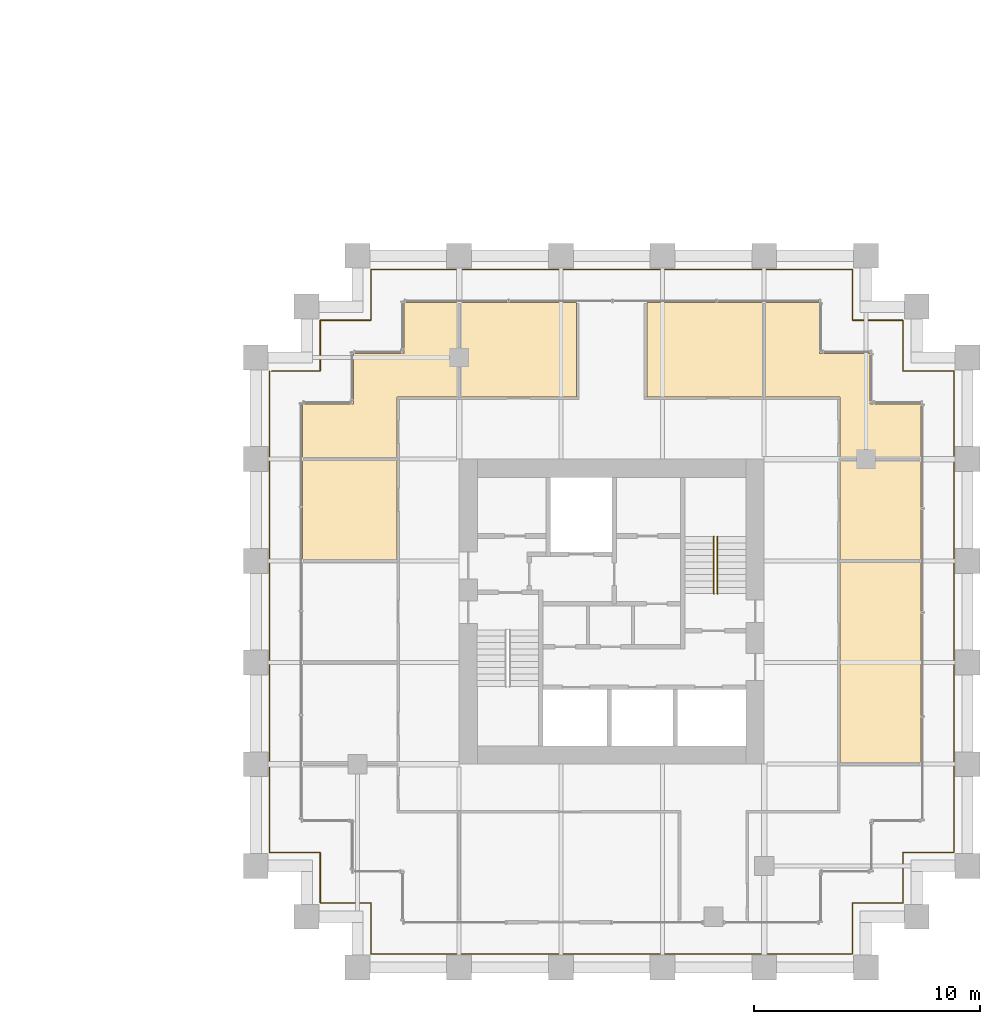
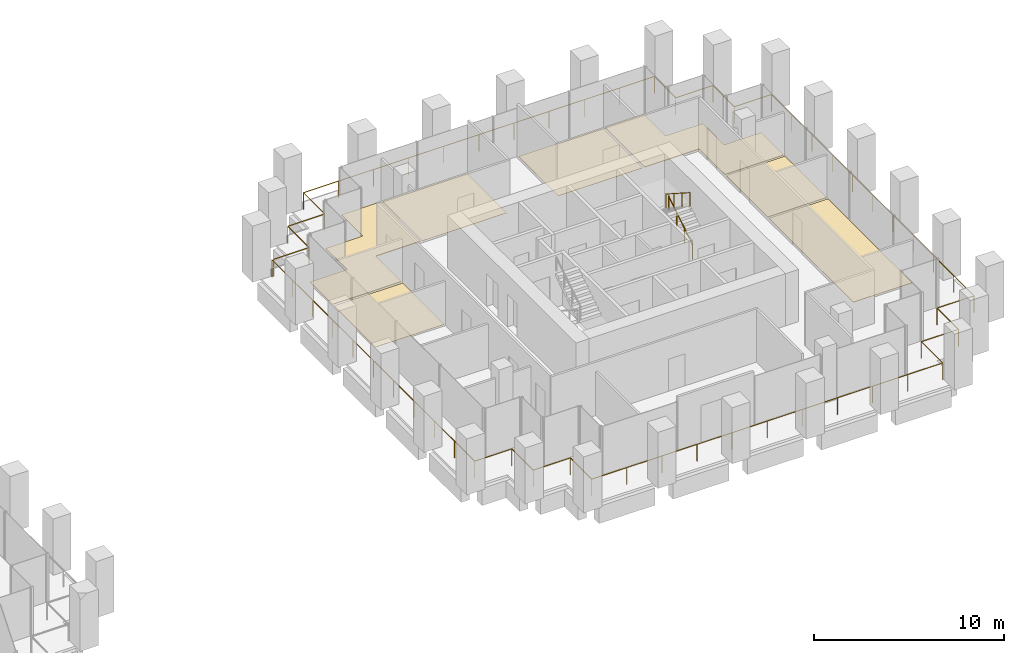
# One storey, part 56 of 56: 7 coverings, 3 railings.
"""IFC4 building model written with IfcOpenShell, lengths in metres."""

from ifc_helpers import new_model, si_unit, direction, frame, origin, origin_2d, place, context, subcontext, project, spatial, polyline, circle, outline, extrude, source, transform, mapped, material, layer, layer_set, type_object, element, save


model = new_model("IFC4")

# Units and contexts
model_context = context("Model", 3, precision=1e-05, world=origin(), true_north=direction((0.0, 1.0)))
body_context = subcontext(model_context, "Body", "Model", "MODEL_VIEW")
ifc_project = project(units=[si_unit("LENGTHUNIT", "METRE"), si_unit("AREAUNIT", "SQUARE_METRE"), si_unit("VOLUMEUNIT", "CUBIC_METRE"), si_unit("PLANEANGLEUNIT", "RADIAN"), si_unit("MASSUNIT", "GRAM", prefix="KILO")], contexts=[model_context])

# Site, building, storey
site_placement = place(None, origin())
site = spatial("IfcSite", under=ifc_project, at=site_placement, CompositionType="ELEMENT")
building_placement = place(site_placement, origin())
building = spatial("IfcBuilding", under=site, at=building_placement, Name="Altepetl Exchange Towers", CompositionType="ELEMENT")
storey_placement = place(building_placement, frame((0.0, 0.0, 51.0)))
storey = spatial("IfcBuildingStorey", under=building, at=storey_placement, Name="L11", CompositionType="ELEMENT", Elevation=51.0)

# Coverings
ifc_material_1 = material(Name="Carpet tile")
ifc_layer_1 = layer(ifc_material_1, 0.02001953125)
ifc_layer_set_1 = layer_set([ifc_layer_1], Name="Carpet tile")
covering_type_1 = type_object("IfcCoveringType", Name="Carpet tile floor", PredefinedType="FLOORING", material=ifc_layer_set_1)
covering_1_placement = place(storey_placement, origin())
element("IfcCovering", 1, at=covering_1_placement, inside=storey, type_object=covering_type_1, Name="Open office floor finish B11.09", PredefinedType="FLOORING", context=body_context, shape_type="SweptSolid", body=[
    extrude(outline(polyline([(111.8125, 52.262451171875), (116.9375, 52.262451171875), (116.9375, 56.4375), (111.8125, 56.4375), (111.8125, 52.262451171875)])), origin(), (0.0, 0.0, 1.0), 0.02001953125),
])
covering_2_placement = place(storey_placement, origin())
element("IfcCovering", 2, at=covering_2_placement, inside=storey, type_object=covering_type_1, Name="Open office floor finish B11.10", PredefinedType="FLOORING", context=body_context, shape_type="SweptSolid", body=[
    extrude(outline(polyline([(108.6875, 56.4375), (103.5625, 56.4375), (103.5625, 52.262451171875), (108.6875, 52.262451171875), (108.6875, 56.4375)])), origin(), (0.0, 0.0, 1.0), 0.02001953125),
])
covering_3_placement = place(storey_placement, origin())
element("IfcCovering", 3, at=covering_3_placement, inside=storey, type_object=covering_type_1, Name="Huddle room floor finish B11.12", PredefinedType="FLOORING", context=body_context, shape_type="SweptSolid", body=[
    extrude(outline(polyline([(100.737548828125, 49.4375), (96.5625, 49.4375), (96.5625, 45.0625), (100.737548828125, 45.0625), (100.737548828125, 49.4375)])), origin(), (0.0, 0.0, 1.0), 0.02001953125),
])
ifc_material_2 = material(Name="Cantera stone", Category="masonry")
ifc_layer_2 = layer(ifc_material_2, 0.030029296875)
ifc_layer_set_2 = layer_set([ifc_layer_2], Name="Cantera stone")
covering_type_2 = type_object("IfcCoveringType", Name="Polished stone floor", PredefinedType="FLOORING", material=ifc_layer_set_2)
covering_4_placement = place(storey_placement, origin())
element("IfcCovering", 4, at=covering_4_placement, inside=storey, type_object=covering_type_2, Name="Cafe floor finish B11.06", PredefinedType="FLOORING", context=body_context, shape_type="SweptSolid", body=[
    extrude(outline(polyline([(120.362548828125, 36.0625), (123.9375, 36.0625), (123.9375, 44.9375), (120.362548828125, 44.9375), (120.362548828125, 36.0625)])), origin(), (0.0, 0.0, 1.0), 0.030029296875),
])
ifc_material_3 = material(Name="Calcium sulphate access floor panel")
ifc_layer_3 = layer(ifc_material_3, 0.0400390625)
ifc_layer_set_3 = layer_set([ifc_layer_3], Name="Calcium sulphate access floor panel")
covering_type_3 = type_object("IfcCoveringType", Name="Raised access floor panels", PredefinedType="FLOORING", material=ifc_layer_set_3)
covering_5_placement = place(storey_placement, origin())
element("IfcCovering", 5, at=covering_5_placement, inside=storey, type_object=covering_type_3, Name="Data room floor finish B11.07", PredefinedType="FLOORING", context=body_context, shape_type="SweptSolid", body=[
    extrude(outline(polyline([(123.9375, 49.4375), (120.362548828125, 49.4375), (120.362548828125, 45.0625), (123.9375, 45.0625), (123.9375, 49.4375)])), origin(), (0.0, 0.0, 1.0), 0.0400390625),
])
covering_6_placement = place(storey_placement, origin())
element("IfcCovering", 6, at=covering_6_placement, inside=storey, type_object=covering_type_3, Name="Clearing office floor finish B11.08", PredefinedType="FLOORING", context=body_context, shape_type="SweptSolid", body=[
    extrude(outline(polyline([(119.4375, 54.1875), (119.4375, 56.4375), (117.0625, 56.4375), (117.0625, 52.262451171875), (120.362548828125, 52.262451171875), (120.362548828125, 49.5625), (123.9375, 49.5625), (123.9375, 51.9375), (121.6875, 51.9375), (121.6875, 54.1875), (119.4375, 54.1875)])), origin(), (0.0, 0.0, 1.0), 0.0400390625),
])
covering_7_placement = place(storey_placement, origin())
element("IfcCovering", 7, at=covering_7_placement, inside=storey, type_object=covering_type_3, Name="Settlement office floor finish B11.11", PredefinedType="FLOORING", context=body_context, shape_type="SweptSolid", body=[
    extrude(outline(polyline([(101.0625, 56.4375), (101.0625, 54.1875), (98.8125, 54.1875), (98.8125, 51.9375), (96.5625, 51.9375), (96.5625, 49.5625), (100.737548828125, 49.5625), (100.737548828125, 52.262451171875), (103.4375, 52.262451171875), (103.4375, 56.4375), (101.0625, 56.4375)])), origin(), (0.0, 0.0, 1.0), 0.0400390625),
])

# Railings
ifc_material_4 = material(Name="Steel S355", Category="steel")
railing_type_1 = type_object("IfcRailingType", Name="Guard 1100 steel posts and rail", PredefinedType="GUARDRAIL", material=ifc_material_4)
shared_shape_1 = source(origin(), body_context, "Body", "SweptSolid", [
    extrude(circle(Radius=0.02099609375, at=origin_2d()), origin(), (0.0, 0.0, 1.0), 1.052001953125),
])
railing_1_placement = place(storey_placement, frame((95.10009765625, 53.39990234375, 0.0)))
element("IfcRailing", 8, at=railing_1_placement, inside=storey, type_object=railing_type_1, Name="Loggia guard", PredefinedType="GUARDRAIL", context=body_context, shape_type="SweptSolid", body=[
    extrude(circle(Radius=0.02392578125, at=origin_2d()), frame((0.0, 0.0, 1.076171875), z_axis=(0.0, -1.0, 0.0), x_axis=(1.0, 0.0, 0.0)), (0.0, 0.0, 1.0), 21.2998046875),
    extrude(circle(Radius=0.02392578125, at=origin_2d()), frame((0.0, -21.2998046875, 1.076171875), z_axis=(1.0, 0.0, 0.0), x_axis=(0.0, 1.0, 0.0)), (0.0, 0.0, 1.0), 2.25),
    extrude(circle(Radius=0.02392578125, at=origin_2d()), frame((2.25, -21.2998046875, 1.076171875), z_axis=(0.0, -1.0, 0.0), x_axis=(1.0, 0.0, 0.0)), (0.0, 0.0, 1.0), 2.25),
    extrude(circle(Radius=0.02392578125, at=origin_2d()), frame((2.25, -23.5498046875, 1.076171875), z_axis=(1.0, 0.0, 0.0), x_axis=(0.0, 1.0, 0.0)), (0.0, 0.0, 1.0), 2.25),
    extrude(circle(Radius=0.02392578125, at=origin_2d()), frame((4.5, -23.5498046875, 1.076171875), z_axis=(0.0, -1.0, 0.0), x_axis=(1.0, 0.0, 0.0)), (0.0, 0.0, 1.0), 2.25),
    extrude(circle(Radius=0.02392578125, at=origin_2d()), frame((4.5, -25.7998046875, 1.076171875), z_axis=(1.0, 0.0, 0.0), x_axis=(0.0, 1.0, 0.0)), (0.0, 0.0, 1.0), 21.2998046875),
    extrude(circle(Radius=0.02392578125, at=origin_2d()), frame((25.7998046875, -25.7998046875, 1.076171875), z_axis=(0.0, 1.0, 0.0), x_axis=(-1.0, 0.0, 0.0)), (0.0, 0.0, 1.0), 2.25),
    extrude(circle(Radius=0.02392578125, at=origin_2d()), frame((25.7998046875, -23.5498046875, 1.076171875), z_axis=(1.0, 0.0, 0.0), x_axis=(0.0, 1.0, 0.0)), (0.0, 0.0, 1.0), 2.25),
    extrude(circle(Radius=0.02392578125, at=origin_2d()), frame((28.0498046875, -23.5498046875, 1.076171875), z_axis=(0.0, 1.0, 0.0), x_axis=(-1.0, 0.0, 0.0)), (0.0, 0.0, 1.0), 2.25),
    extrude(circle(Radius=0.02392578125, at=origin_2d()), frame((28.0498046875, -21.2998046875, 1.076171875), z_axis=(1.0, 0.0, 0.0), x_axis=(0.0, 1.0, 0.0)), (0.0, 0.0, 1.0), 2.25),
    extrude(circle(Radius=0.02392578125, at=origin_2d()), frame((30.2998046875, -21.2998046875, 1.076171875), z_axis=(0.0, 1.0, 0.0), x_axis=(-1.0, 0.0, 0.0)), (0.0, 0.0, 1.0), 21.2998046875),
    extrude(circle(Radius=0.02392578125, at=origin_2d()), frame((30.2998046875, 0.0, 1.076171875), z_axis=(-1.0, 0.0, 0.0), x_axis=(0.0, -1.0, 0.0)), (0.0, 0.0, 1.0), 2.25),
    extrude(circle(Radius=0.02392578125, at=origin_2d()), frame((28.0498046875, 0.0, 1.076171875), z_axis=(0.0, 1.0, 0.0), x_axis=(-1.0, 0.0, 0.0)), (0.0, 0.0, 1.0), 2.25),
    extrude(circle(Radius=0.02392578125, at=origin_2d()), frame((28.0498046875, 2.25, 1.076171875), z_axis=(-1.0, 0.0, 0.0), x_axis=(0.0, -1.0, 0.0)), (0.0, 0.0, 1.0), 2.25),
    extrude(circle(Radius=0.02392578125, at=origin_2d()), frame((25.7998046875, 2.25, 1.076171875), z_axis=(0.0, 1.0, 0.0), x_axis=(-1.0, 0.0, 0.0)), (0.0, 0.0, 1.0), 2.25),
    extrude(circle(Radius=0.02392578125, at=origin_2d()), frame((25.7998046875, 4.5, 1.076171875), z_axis=(-1.0, 0.0, 0.0), x_axis=(0.0, -1.0, 0.0)), (0.0, 0.0, 1.0), 21.2998046875),
    extrude(circle(Radius=0.02392578125, at=origin_2d()), frame((4.5, 4.5, 1.076171875), z_axis=(0.0, -1.0, 0.0), x_axis=(1.0, 0.0, 0.0)), (0.0, 0.0, 1.0), 2.25),
    extrude(circle(Radius=0.02392578125, at=origin_2d()), frame((4.5, 2.25, 1.076171875), z_axis=(-1.0, 0.0, 0.0), x_axis=(0.0, -1.0, 0.0)), (0.0, 0.0, 1.0), 2.25),
    extrude(circle(Radius=0.02392578125, at=origin_2d()), frame((2.25, 2.25, 1.076171875), z_axis=(0.0, -1.0, 0.0), x_axis=(1.0, 0.0, 0.0)), (0.0, 0.0, 1.0), 2.25),
    extrude(circle(Radius=0.02392578125, at=origin_2d()), frame((2.25, 0.0, 1.076171875), z_axis=(-1.0, 0.0, 0.0), x_axis=(0.0, -1.0, 0.0)), (0.0, 0.0, 1.0), 2.150146484375),
    mapped(shared_shape_1, transform((0.0, 0.0, 0.0))),
    mapped(shared_shape_1, transform((0.0, -2.1298828125, 0.0))),
    mapped(shared_shape_1, transform((0.0, -4.260009765625, 0.0))),
    mapped(shared_shape_1, transform((0.0, -6.389892578125, 0.0))),
    mapped(shared_shape_1, transform((0.0, -8.52001953125, 0.0))),
    mapped(shared_shape_1, transform((0.0, -10.64990234375, 0.0))),
    mapped(shared_shape_1, transform((0.0, -12.77978515625, 0.0))),
    mapped(shared_shape_1, transform((0.0, -14.909912109375, 0.0))),
    mapped(shared_shape_1, transform((0.0, -17.039794921875, 0.0))),
    mapped(shared_shape_1, transform((0.0, -19.169921875, 0.0))),
    mapped(shared_shape_1, transform((0.0, -21.2998046875, 0.0))),
    mapped(shared_shape_1, transform((2.25, -21.2998046875, 0.0))),
    mapped(shared_shape_1, transform((2.25, -23.5498046875, 0.0))),
    mapped(shared_shape_1, transform((4.5, -23.5498046875, 0.0))),
    mapped(shared_shape_1, transform((4.5, -25.7998046875, 0.0))),
    mapped(shared_shape_1, transform((6.6298828125, -25.7998046875, 0.0))),
    mapped(shared_shape_1, transform((8.760009765625, -25.7998046875, 0.0))),
    mapped(shared_shape_1, transform((10.889892578125, -25.7998046875, 0.0))),
    mapped(shared_shape_1, transform((13.02001953125, -25.7998046875, 0.0))),
    mapped(shared_shape_1, transform((15.14990234375, -25.7998046875, 0.0))),
    mapped(shared_shape_1, transform((17.27978515625, -25.7998046875, 0.0))),
    mapped(shared_shape_1, transform((19.409912109375, -25.7998046875, 0.0))),
    mapped(shared_shape_1, transform((21.539794921875, -25.7998046875, 0.0))),
    mapped(shared_shape_1, transform((23.669921875, -25.7998046875, 0.0))),
    mapped(shared_shape_1, transform((25.7998046875, -25.7998046875, 0.0))),
    mapped(shared_shape_1, transform((25.7998046875, -23.5498046875, 0.0))),
    mapped(shared_shape_1, transform((28.0498046875, -23.5498046875, 0.0))),
    mapped(shared_shape_1, transform((28.0498046875, -21.2998046875, 0.0))),
    mapped(shared_shape_1, transform((30.2998046875, -21.2998046875, 0.0))),
    mapped(shared_shape_1, transform((30.2998046875, -19.169921875, 0.0))),
    mapped(shared_shape_1, transform((30.2998046875, -17.039794921875, 0.0))),
    mapped(shared_shape_1, transform((30.2998046875, -14.909912109375, 0.0))),
    mapped(shared_shape_1, transform((30.2998046875, -12.77978515625, 0.0))),
    mapped(shared_shape_1, transform((30.2998046875, -10.64990234375, 0.0))),
    mapped(shared_shape_1, transform((30.2998046875, -8.52001953125, 0.0))),
    mapped(shared_shape_1, transform((30.2998046875, -6.389892578125, 0.0))),
    mapped(shared_shape_1, transform((30.2998046875, -4.260009765625, 0.0))),
    mapped(shared_shape_1, transform((30.2998046875, -2.1298828125, 0.0))),
    mapped(shared_shape_1, transform((30.2998046875, 0.0, 0.0))),
    mapped(shared_shape_1, transform((28.0498046875, 0.0, 0.0))),
    mapped(shared_shape_1, transform((28.0498046875, 2.25, 0.0))),
    mapped(shared_shape_1, transform((25.7998046875, 2.25, 0.0))),
    mapped(shared_shape_1, transform((25.7998046875, 4.5, 0.0))),
    mapped(shared_shape_1, transform((23.669921875, 4.5, 0.0))),
    mapped(shared_shape_1, transform((21.539794921875, 4.5, 0.0))),
    mapped(shared_shape_1, transform((19.409912109375, 4.5, 0.0))),
    mapped(shared_shape_1, transform((17.27978515625, 4.5, 0.0))),
    mapped(shared_shape_1, transform((15.14990234375, 4.5, 0.0))),
    mapped(shared_shape_1, transform((13.02001953125, 4.5, 0.0))),
    mapped(shared_shape_1, transform((10.889892578125, 4.5, 0.0))),
    mapped(shared_shape_1, transform((8.760009765625, 4.5, 0.0))),
    mapped(shared_shape_1, transform((6.6298828125, 4.5, 0.0))),
    mapped(shared_shape_1, transform((4.5, 4.5, 0.0))),
    mapped(shared_shape_1, transform((4.5, 2.25, 0.0))),
    mapped(shared_shape_1, transform((2.25, 2.25, 0.0))),
    mapped(shared_shape_1, transform((2.25, 0.0, 0.0))),
    mapped(shared_shape_1, transform((0.099853515625, 0.0, 0.0))),
])
ifc_material_5 = material(Name="Steel", Category="steel")
railing_type_2 = type_object("IfcRailingType", Name="Stair handrail 50 steel tube", PredefinedType="HANDRAIL", material=ifc_material_5)
shared_shape_2 = source(origin(), body_context, "Body", "SweptSolid", [
    extrude(circle(Radius=0.02099609375, at=origin_2d()), origin(), (0.0, 0.0, 1.0), 0.851806640625),
])
railing_2_placement = place(storey_placement, frame((114.929931640625, 43.550048828125, 0.179931640625)))
element("IfcRailing", 9, at=railing_2_placement, inside=storey, type_object=railing_type_2, Name="Stair handrail", PredefinedType="HANDRAIL", context=body_context, shape_type="SweptSolid", body=[
    extrude(circle(Radius=0.02392578125, at=origin_2d()), frame((0.0, 0.0, 0.8759765625), z_axis=(0.0, 0.841162588446, 0.540782303519), x_axis=(-1.0, 0.0, 0.0)), (0.0, 0.0, 1.0), 2.995849609375),
    mapped(shared_shape_2, transform((0.0, 0.0, 0.0))),
    mapped(shared_shape_2, transform((0.0, 0.840087890625, 0.5400390625))),
    mapped(shared_shape_2, transform((0.0, 1.679931640625, 1.080078125))),
    mapped(shared_shape_2, transform((0.0, 2.52001953125, 1.6201171875))),
])
railing_3_placement = place(storey_placement, frame((114.77001953125, 46.070068359375, 1.97998046875)))
element("IfcRailing", 10, at=railing_3_placement, inside=storey, type_object=railing_type_2, Name="Stair handrail", PredefinedType="HANDRAIL", context=body_context, shape_type="SweptSolid", body=[
    extrude(circle(Radius=0.02392578125, at=origin_2d()), frame((0.0, 0.0, 0.8759765625), z_axis=(0.0, -0.841162588446, 0.540782303519), x_axis=(1.0, 0.0, 0.0)), (0.0, 0.0, 1.0), 2.995849609375),
    mapped(shared_shape_2, transform((0.0, 0.0, 0.0))),
    mapped(shared_shape_2, transform((0.0, -0.840087890625, 0.5400390625))),
    mapped(shared_shape_2, transform((0.0, -1.679931640625, 1.080078125))),
    mapped(shared_shape_2, transform((0.0, -2.52001953125, 1.6201171875))),
])

save(model, "model.ifc")
